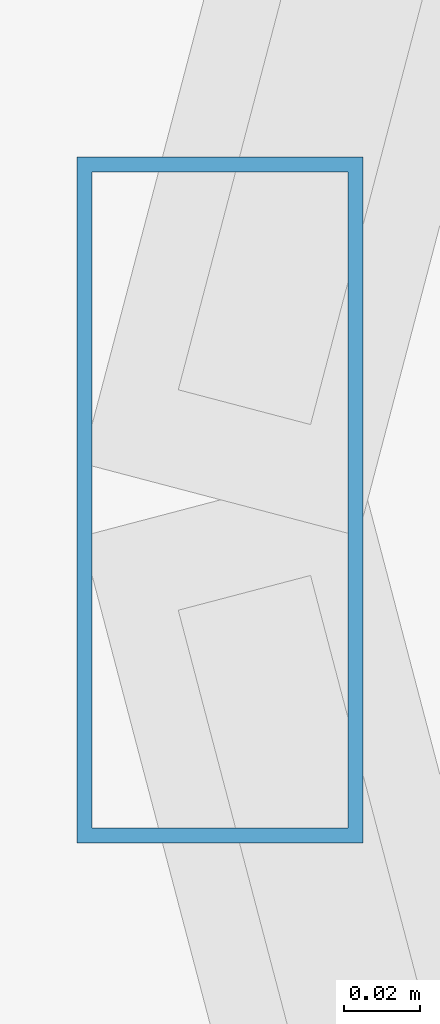
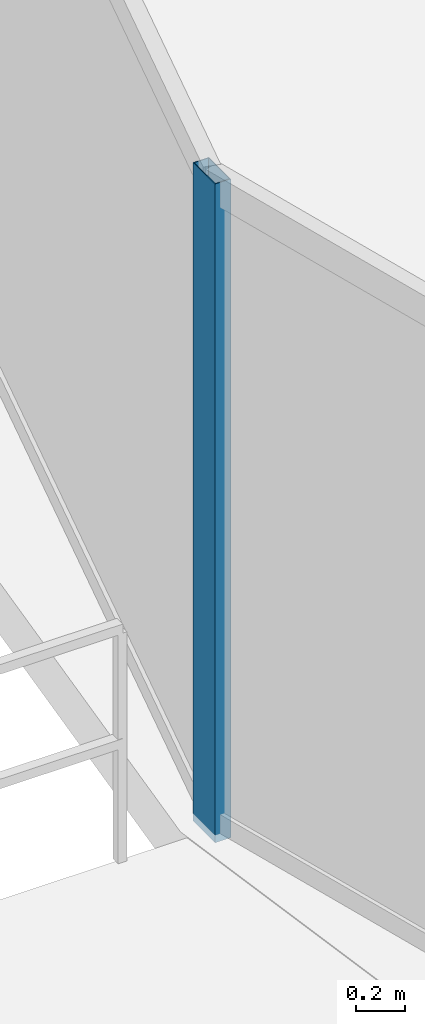
# One storey, part 7 of 33: 1 member, 1 element without a shape of its own.
"""IFC4 building model written with IfcOpenShell, lengths in metres."""

import ifcopenshell
import ifcopenshell.guid

model = None  # the IFC model being written
_history = None  # IfcOwnerHistory: only IFC2X3 demands one
_inside = {}  # id of a spatial element -> (the spatial element, [elements in it])
_under = {}  # id of a project, library or spatial element -> (it, [spatial elements below it])
_declared = {}  # id of a project -> (the project, [libraries it declares])
_typed = {}  # id of a type object -> (the type object, [elements of that type])
_made_of = {}  # id of a material, layer set ... -> (it, [elements and type objects made of it])


def new_model(schema):
    """Start an empty IFC model of exactly this schema.

    Asked for "IFC4X3", IfcOpenShell would pick the latest addendum, in which some entities
    have other attributes; the version numbers below select the first issue.
    IFC2X3 requires an IfcOwnerHistory on every rooted entity: one is made here for all.
    """
    global model, _history
    if schema == "IFC4X3":
        model = ifcopenshell.file(schema_version=(4, 3, 0, 0))
    else:
        model = ifcopenshell.file(schema=schema)
    _inside.clear()
    _under.clear()
    _declared.clear()
    _typed.clear()
    _made_of.clear()
    _history = None
    if model.schema == "IFC2X3":
        org = make("IfcOrganization", Name="unknown")
        user = make(
            "IfcPersonAndOrganization",
            ThePerson=make("IfcPerson", FamilyName="unknown"),
            TheOrganization=org,
        )
        app = make(
            "IfcApplication",
            ApplicationDeveloper=org,
            Version="unknown",
            ApplicationFullName="unknown",
            ApplicationIdentifier="unknown",
        )
        _history = make(
            "IfcOwnerHistory",
            OwningUser=user,
            OwningApplication=app,
            ChangeAction="ADDED",
            CreationDate=0,
        )
    return model


def make(cls, **values):
    """One entity of the class cls with the attributes given. An attribute that is None is left unset."""
    return model.create_entity(
        cls, **{name: value for name, value in values.items() if value is not None}
    )


def rooted(cls, **values):
    """An entity with a GlobalId (a new one), such as an element, a storey or a relation."""
    return make(cls, GlobalId=ifcopenshell.guid.new(), OwnerHistory=_history, **values)


def si_unit(unit_type, name, prefix=None):
    """IfcSIUnit, for example si_unit("LENGTHUNIT", "METRE", prefix="MILLI")."""
    return make("IfcSIUnit", UnitType=unit_type, Prefix=prefix, Name=name)


def assignment(units):
    """IfcUnitAssignment: the units of a project."""
    return None if units is None else make("IfcUnitAssignment", Units=units)


def point(xyz):
    """IfcCartesianPoint."""
    return None if xyz is None else make("IfcCartesianPoint", Coordinates=xyz)


def direction(xyz):
    """IfcDirection."""
    return None if xyz is None else make("IfcDirection", DirectionRatios=xyz)


def frame(location, z_axis=None, x_axis=None):
    """IfcAxis2Placement3D, a coordinate frame: its origin and axes. An axis left out is left unset."""
    return make(
        "IfcAxis2Placement3D",
        Location=point(location),
        Axis=direction(z_axis),
        RefDirection=direction(x_axis),
    )


def frame_2d(location, x_axis=None):
    """IfcAxis2Placement2D, a coordinate frame in the plane: its origin and x axis."""
    return make(
        "IfcAxis2Placement2D", Location=point(location), RefDirection=direction(x_axis)
    )


def origin():
    """The frame at (0, 0, 0) with its axes left unset."""
    return frame((0.0, 0.0, 0.0))


def origin_2d():
    """The frame at (0, 0) in the plane with its x axis left unset."""
    return frame_2d((0.0, 0.0))


def place(relative_to, where):
    """IfcLocalPlacement: puts the frame where relative to a parent placement (None: the world)."""
    return make(
        "IfcLocalPlacement", PlacementRelTo=relative_to, RelativePlacement=where
    )


def context(
    kind, dimensions, precision=None, world=None, true_north=None, identifier=None
):
    """IfcGeometricRepresentationContext, for example the 3D "Model" context."""
    return make(
        "IfcGeometricRepresentationContext",
        ContextIdentifier=identifier,
        ContextType=kind,
        CoordinateSpaceDimension=dimensions,
        Precision=precision,
        WorldCoordinateSystem=world,
        TrueNorth=true_north,
    )


def subcontext(parent, identifier, kind, view, scale=None):
    """IfcGeometricRepresentationSubContext, for example "Body" below "Model"."""
    return make(
        "IfcGeometricRepresentationSubContext",
        ContextIdentifier=identifier,
        ContextType=kind,
        ParentContext=parent,
        TargetScale=scale,
        TargetView=view,
    )


def project(units=None, contexts=None):
    """IfcProject with its units and contexts."""
    return rooted(
        "IfcProject",
        Name="project",
        RepresentationContexts=contexts,
        UnitsInContext=assignment(units),
    )


def spatial(cls, under=None, at=None, **own):
    """A site, building, storey or space (cls), placed at a placement, below another one or the project."""
    s = rooted(cls, ObjectPlacement=at, **own)
    if under is not None:
        _under.setdefault(under.id(), (under, []))[1].append(s)
    return s


def profile(cls, at=None, kind="AREA", **sizes):
    """A parametric profile (cls). Its sizes go by their IFC names, for example OverallWidth=200.0."""
    return make(cls, ProfileType=kind, Position=at, **sizes)


def hollow_rectangle(**sizes):
    """IfcRectangleHollowProfileDef."""
    return profile("IfcRectangleHollowProfileDef", **sizes)


def extrude(swept, where, along, depth):
    """IfcExtrudedAreaSolid: the profile swept, set in the frame where, extruded along a direction by depth."""
    return make(
        "IfcExtrudedAreaSolid",
        SweptArea=swept,
        Position=where,
        ExtrudedDirection=direction(along),
        Depth=depth,
    )


def shape(context_of_items, identifier, shape_type, items):
    """IfcShapeRepresentation: the items that make up one representation, for example the "Body"."""
    return make(
        "IfcShapeRepresentation",
        ContextOfItems=context_of_items,
        RepresentationIdentifier=identifier,
        RepresentationType=shape_type,
        Items=items,
    )


def material(Name=None, Category=None):
    """IfcMaterial."""
    return make("IfcMaterial", Name=Name, Category=Category)


def material_profile(
    of_material, cross_section, Name=None, Category=None, Priority=None
):
    """IfcMaterialProfile: a cross section and its material."""
    return make(
        "IfcMaterialProfile",
        Name=Name,
        Material=of_material,
        Profile=cross_section,
        Priority=Priority,
        Category=Category,
    )


def profile_set(profiles, Name=None, composite=None):
    """IfcMaterialProfileSet."""
    return make(
        "IfcMaterialProfileSet",
        Name=Name,
        MaterialProfiles=profiles,
        CompositeProfile=composite,
    )


def made_of(thing, what):
    """Note that an element or type object is made of a material, layer set ...; save() writes the relation."""
    if what is not None:
        _made_of.setdefault(what.id(), (what, []))[1].append(thing)
    return thing


def type_object(cls, material=None, **own):
    """A type object (cls), such as IfcWallType, which elements share."""
    return made_of(rooted(cls, **own), material)


def element(
    cls,
    number,
    at=None,
    inside=None,
    cuts=None,
    type_object=None,
    material=None,
    context=None,
    identifier="Body",
    shape_type=None,
    held_by="IfcProductDefinitionShape",
    body=None,
    shapes=None,
    **own,
):
    """One element of the class cls, such as IfcWall. Its Tag is "e" and its number.

    at: its placement. inside: the storey or other place that contains it. cuts: it is an
    opening in that element (IfcRelVoidsElement). A single representation is given by context,
    identifier, shape_type and body (its items); several are given by shapes. held_by: the class
    of the entity that holds the representations. save() writes the other relations.
    """
    e = rooted(cls, Tag="e%d" % number, ObjectPlacement=at, **own)
    if body is not None:
        shapes = [shape(context, identifier, shape_type, body)]
    if shapes is not None:
        e.Representation = make(held_by, Representations=shapes)
    if inside is not None:
        _inside.setdefault(inside.id(), (inside, []))[1].append(e)
    if cuts is not None:
        rooted(
            "IfcRelVoidsElement", RelatingBuildingElement=cuts, RelatedOpeningElement=e
        )
    if type_object is not None:
        _typed.setdefault(type_object.id(), (type_object, []))[1].append(e)
    return made_of(e, material)


def aggregate(whole, parts):
    """IfcRelAggregates: a whole, such as a stair, and the parts it consists of."""
    return rooted("IfcRelAggregates", RelatingObject=whole, RelatedObjects=parts)


def save(model, path):
    """Write the relations noted so far, then the file.

    IfcRelAggregates (storeys below a building ...), IfcRelContainedInSpatialStructure (elements
    in a storey), IfcRelDefinesByType, IfcRelAssociatesMaterial and IfcRelDeclares: one each for
    every whole, place, type object, material and project.
    """
    for whole, parts in _under.values():
        aggregate(whole, parts)
    for where, things in _inside.values():
        rooted(
            "IfcRelContainedInSpatialStructure",
            RelatedElements=things,
            RelatingStructure=where,
        )
    for kind, things in _typed.values():
        rooted("IfcRelDefinesByType", RelatedObjects=things, RelatingType=kind)
    for what, things in _made_of.values():
        rooted("IfcRelAssociatesMaterial", RelatedObjects=things, RelatingMaterial=what)
    for by, libraries in _declared.values():
        rooted("IfcRelDeclares", RelatingContext=by, RelatedDefinitions=libraries)
    model.write(path)


model = new_model("IFC4")

# Units and contexts
model_context = context("Model", 3, precision=1e-05, world=origin(), true_north=direction((0.0, 1.0)))
body_context = subcontext(model_context, "Body", "Model", "MODEL_VIEW")
ifc_project = project(units=[si_unit("LENGTHUNIT", "METRE"), si_unit("AREAUNIT", "SQUARE_METRE"), si_unit("VOLUMEUNIT", "CUBIC_METRE"), si_unit("PLANEANGLEUNIT", "RADIAN"), si_unit("MASSUNIT", "GRAM", prefix="KILO")], contexts=[model_context])

# Site, building, storey
site_placement = place(None, origin())
site = spatial("IfcSite", under=ifc_project, at=site_placement, CompositionType="ELEMENT")
building_placement = place(site_placement, origin())
building = spatial("IfcBuilding", under=site, at=building_placement, Name="Vorneva Point Tower", CompositionType="ELEMENT")
storey_placement = place(building_placement, frame((0.0, 0.0, 59.0)))
storey = spatial("IfcBuildingStorey", under=building, at=storey_placement, Name="L15", CompositionType="ELEMENT", Elevation=59.0)

# Curtain wall, member
ifc_material = material(Name="Pale anodised aluminium", Category="aluminium")
curtain_wall_type = type_object("IfcCurtainWallType", Name="CW-HTL-SYS", PredefinedType="NOTDEFINED", material=ifc_material)
curtain_wall_placement = place(storey_placement, origin())
curtain_wall = element("IfcCurtainWall", 1, at=curtain_wall_placement, inside=storey, type_object=curtain_wall_type, Name="L15 Unitised Curtain Wall CW-L15-R03", PredefinedType="NOTDEFINED")
ifc_material_profile = material_profile(ifc_material, hollow_rectangle(XDim=0.074951171875, YDim=0.179931640625, WallThickness=0.00390625, at=origin_2d()), Name="AL-MUL 180x75x4")
ifc_profile_set = profile_set([ifc_material_profile], Name="Pale anodised aluminium")
member_type = type_object("IfcMemberType", Name="CW-MUL-180", PredefinedType="MULLION", material=ifc_profile_set)
member_placement = place(storey_placement, frame((8.449951171875, 26.0, -0.0400390625), z_axis=(0.0, 0.0, 1.0), x_axis=(1.0, 0.0, 0.0)))
member = element("IfcMember", 2, at=member_placement, type_object=member_type, Name="CW-L15-R03 Mullion 03", PredefinedType="MULLION", context=body_context, shape_type="SweptSolid", body=[
    extrude(hollow_rectangle(XDim=0.074951171875, YDim=0.179931640625, WallThickness=0.00390625, at=origin_2d()), origin(), (0.0, 0.0, 1.0), 3.31005859375),
])
aggregate(curtain_wall, [member])

save(model, "model.ifc")
